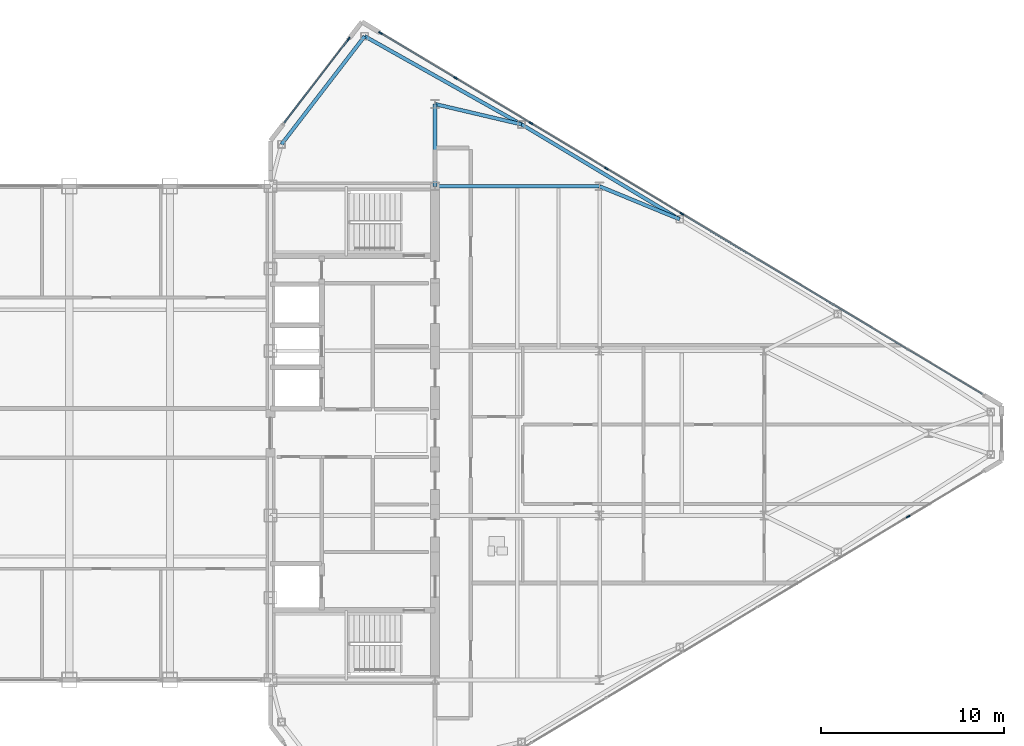
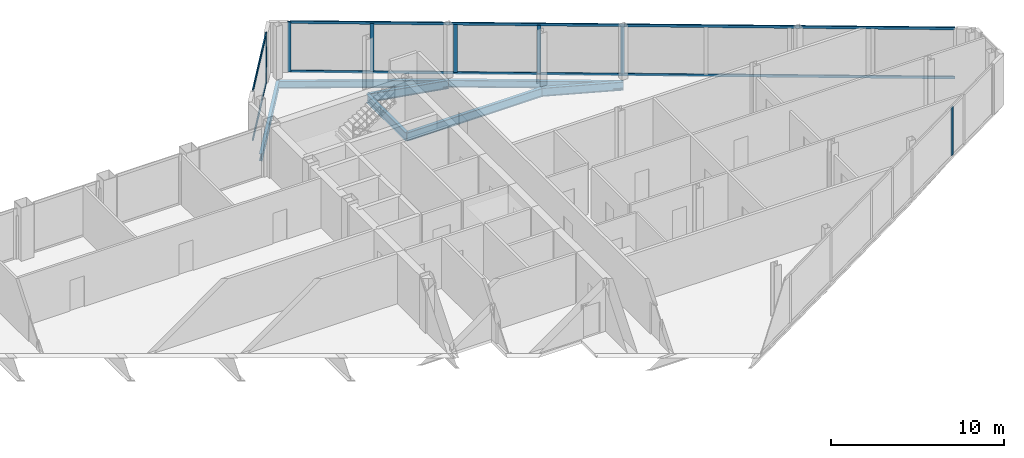
# One storey, part 17 of 29: 11 members, 7 beams, 3 elements without a shape of their own.
"""IFC4 building model written with IfcOpenShell, lengths in metres."""

from ifc_helpers import new_model, si_unit, direction, frame, origin, origin_2d, place, context, subcontext, project, spatial, rectangle, i_section, extrude, source, transform, mapped, material, layer, layer_set, material_profile, profile_set, type_object, type_shapes, element, aggregate, save


model = new_model("IFC4")

# Units and contexts
model_context = context("Model", 3, precision=1e-05, world=origin(), true_north=direction((0.0, 1.0)))
body_context = subcontext(model_context, "Body", "Model", "MODEL_VIEW")
ifc_project = project(units=[si_unit("LENGTHUNIT", "METRE"), si_unit("AREAUNIT", "SQUARE_METRE"), si_unit("VOLUMEUNIT", "CUBIC_METRE"), si_unit("PLANEANGLEUNIT", "RADIAN"), si_unit("MASSUNIT", "GRAM", prefix="KILO")], contexts=[model_context])

# Site, building, storey
site_placement = place(None, origin())
site = spatial("IfcSite", under=ifc_project, at=site_placement, CompositionType="ELEMENT")
building_placement = place(site_placement, origin())
building = spatial("IfcBuilding", under=site, at=building_placement, Name="Seokmaru Belvedere", CompositionType="ELEMENT")
storey_placement = place(building_placement, frame((0.0, 0.0, 254.39990234375)))
storey = spatial("IfcBuildingStorey", under=building, at=storey_placement, Name="L67", CompositionType="ELEMENT", Elevation=254.39990234375)

# Beams
ifc_material_1 = material(Name="Steel SM355 (355 MPa)", Category="steel")
ifc_material_profile_1 = material_profile(ifc_material_1, i_section(OverallWidth=0.199951171875, OverallDepth=0.60009765625, WebThickness=0.010986328125, FlangeThickness=0.01708984375, at=origin_2d()), Name="H-600x200x11x17")
ifc_profile_set_1 = profile_set([ifc_material_profile_1], Name="Steel SM355 (355 MPa)")
beam_type_1 = type_object("IfcBeamType", Name="Primary Floor Girder H-600", PredefinedType="BEAM", material=ifc_profile_set_1)
shared_shape_1 = source(origin(), body_context, "Body", "SweptSolid", [
    extrude(i_section(OverallWidth=0.199951171875, OverallDepth=0.60009765625, WebThickness=0.010986328125, FlangeThickness=0.01708984375, at=origin_2d()), origin(), (0.0, 0.0, 1.0), 9.0),
])
beam_1_placement = place(storey_placement, frame((36.5, 13.5, -0.52001953125), z_axis=(1.0, 0.0, 0.0), x_axis=(0.0, 1.0, 0.0)))
element("IfcBeam", 1, at=beam_1_placement, inside=storey, type_object=beam_type_1, Name="L67 E Wing Primary Girder 4", PredefinedType="BEAM", context=body_context, shape_type="MappedRepresentation", body=[
    mapped(shared_shape_1, transform((0.0, 0.0, 0.0), scale=1.0)),
])
shared_shape_2 = source(origin(), body_context, "Body", "SweptSolid", [
    extrude(i_section(OverallWidth=0.199951171875, OverallDepth=0.60009765625, WebThickness=0.010986328125, FlangeThickness=0.01708984375, at=origin_2d()), origin(), (0.0, 0.0, 1.0), 4.5),
])
beam_2_placement = place(storey_placement, frame((36.5, 13.5, -0.52001953125), z_axis=(0.0, 1.0, 0.0), x_axis=(-1.0, 0.0, 0.0)))
element("IfcBeam", 2, at=beam_2_placement, inside=storey, type_object=beam_type_1, Name="L67 E Core Shoulder Girder N", PredefinedType="BEAM", context=body_context, shape_type="MappedRepresentation", body=[
    mapped(shared_shape_2, transform((0.0, 0.0, 0.0), scale=1.0)),
])
ifc_material_profile_2 = material_profile(ifc_material_1, i_section(OverallWidth=0.199951171875, OverallDepth=0.5, WebThickness=0.010009765625, FlangeThickness=0.01611328125, at=origin_2d()), Name="H-500x200x10x16")
ifc_profile_set_2 = profile_set([ifc_material_profile_2], Name="Steel SM355 (355 MPa)")
beam_type_2 = type_object("IfcBeamType", Name="Perimeter Spandrel Beam H-500", PredefinedType="SPANDREL", material=ifc_profile_set_2)
shared_shape_3 = source(origin(), body_context, "Body", "SweptSolid", [
    extrude(i_section(OverallWidth=0.199951171875, OverallDepth=0.5, WebThickness=0.010009765625, FlangeThickness=0.01611328125, at=origin_2d()), origin(), (0.0, 0.0, 1.0), 9.842041015625),
])
beam_3_placement = place(storey_placement, frame((32.649658203125, 21.71044921875, -0.469970703125), z_axis=(0.871782151818, -0.489893743349, 0.0), x_axis=(0.489893743349, 0.871782151818, 0.0)))
element("IfcBeam", 3, at=beam_3_placement, inside=storey, type_object=beam_type_2, Name="L67 E Faceted Flank Spandrel N-1", PredefinedType="SPANDREL", context=body_context, shape_type="MappedRepresentation", body=[
    mapped(shared_shape_3, transform((0.0, 0.0, 0.0), scale=1.0)),
])
shared_shape_4 = source(origin(), body_context, "Body", "SweptSolid", [
    extrude(i_section(OverallWidth=0.199951171875, OverallDepth=0.5, WebThickness=0.010009765625, FlangeThickness=0.01611328125, at=origin_2d()), origin(), (0.0, 0.0, 1.0), 10.087646484375),
])
beam_4_placement = place(storey_placement, frame((41.229736328125, 16.888916015625, -0.469970703125), z_axis=(0.857499332045, -0.514485078056, 0.0), x_axis=(0.514485078056, 0.857499332045, 0.0)))
element("IfcBeam", 4, at=beam_4_placement, inside=storey, type_object=beam_type_2, Name="L67 E Faceted Flank Spandrel N-2", PredefinedType="SPANDREL", context=body_context, shape_type="MappedRepresentation", body=[
    mapped(shared_shape_4, transform((0.0, 0.0, 0.0), scale=1.0)),
])
shared_shape_5 = source(origin(), body_context, "Body", "SweptSolid", [
    extrude(i_section(OverallWidth=0.199951171875, OverallDepth=0.5, WebThickness=0.010009765625, FlangeThickness=0.01611328125, at=origin_2d()), origin(), (0.0, 0.0, 1.0), 7.4619140625),
])
type_shapes(beam_type_2, [shared_shape_3, shared_shape_4, shared_shape_5])
beam_5_placement = place(storey_placement, frame((32.649658203125, 21.71044921875, -0.469970703125), z_axis=(-0.609702854945, -0.792630070507, 0.0), x_axis=(0.792630070507, -0.609702854945, 0.0)))
element("IfcBeam", 5, at=beam_5_placement, inside=storey, type_object=beam_type_2, Name="L67 E Shoulder Chamfer Spandrel N", PredefinedType="SPANDREL", context=body_context, shape_type="MappedRepresentation", body=[
    mapped(shared_shape_5, transform((0.0, 0.0, 0.0), scale=1.0)),
])
shared_shape_6 = source(origin(), body_context, "Body", "SweptSolid", [
    extrude(i_section(OverallWidth=0.199951171875, OverallDepth=0.60009765625, WebThickness=0.010986328125, FlangeThickness=0.01708984375, at=origin_2d()), origin(), (0.0, 0.0, 1.0), 4.8583984375),
])
beam_6_placement = place(storey_placement, frame((41.229736328125, 16.888916015625, -0.52001953125), z_axis=(-0.97349948295, 0.228689214211, 0.0), x_axis=(-0.228689214211, -0.97349948295, 0.0)))
element("IfcBeam", 6, at=beam_6_placement, inside=storey, type_object=beam_type_1, Name="L67 E Flank Radial Floor Girder N-1", PredefinedType="BEAM", context=body_context, shape_type="MappedRepresentation", body=[
    mapped(shared_shape_6, transform((0.0, 0.0, 0.0), scale=1.0)),
])
shared_shape_7 = source(origin(), body_context, "Body", "SweptSolid", [
    extrude(i_section(OverallWidth=0.199951171875, OverallDepth=0.60009765625, WebThickness=0.010986328125, FlangeThickness=0.01708984375, at=origin_2d()), origin(), (0.0, 0.0, 1.0), 4.73583984375),
])
type_shapes(beam_type_1, [shared_shape_1, shared_shape_2, shared_shape_6, shared_shape_7])
beam_7_placement = place(storey_placement, frame((49.8798828125, 11.698974609375, -0.52001953125), z_axis=(-0.924860562953, 0.380306375301, 0.0), x_axis=(-0.380306375301, -0.924860562953, 0.0)))
element("IfcBeam", 7, at=beam_7_placement, inside=storey, type_object=beam_type_1, Name="L67 E Flank Radial Floor Girder N-2", PredefinedType="BEAM", context=body_context, shape_type="MappedRepresentation", body=[
    mapped(shared_shape_7, transform((0.0, 0.0, 0.0), scale=1.0)),
])

# Curtain wall, members
ifc_material_2 = material(Name="Bronze Triple Insulating Glass", Category="glass")
ifc_layer = layer(ifc_material_2, 0.219970703125)
ifc_layer_set = layer_set([ifc_layer], Name="Bronze Triple Insulating Glass")
curtain_wall_type = type_object("IfcCurtainWallType", Name="Sky-Gate Bridge Panorama Curtain Wall System CW-6", PredefinedType="NOTDEFINED", material=ifc_layer_set)
curtain_wall_1_placement = place(storey_placement, origin())
curtain_wall_1 = element("IfcCurtainWall", 8, at=curtain_wall_1_placement, inside=storey, type_object=curtain_wall_type, Name="L67 Curtain Wall EF4", PredefinedType="NOTDEFINED")
ifc_material_3 = material(Name="Anodised Bronze Aluminium", Category="aluminium")
ifc_material_profile_3 = material_profile(ifc_material_3, rectangle(XDim=0.074951171875, YDim=0.179931640625, at=origin_2d()), Name="CW-T-75x180")
ifc_profile_set_3 = profile_set([ifc_material_profile_3], Name="Anodised Bronze Aluminium")
member_type_1 = type_object("IfcMemberType", Name="Bronze Unitised Transom 75x180", PredefinedType="USERDEFINED", material=ifc_profile_set_3)
shared_shape_8 = source(origin(), body_context, "Body", "SweptSolid", [
    extrude(rectangle(XDim=0.074951171875, YDim=0.179931640625, at=origin_2d()), origin(), (0.0, 0.0, 1.0), 5.74072265625),
])
member_1_placement = place(storey_placement, frame((31.75, 21.525146484375, 0.03759765625), z_axis=(-0.609686097287, -0.792642960465, 0.0), x_axis=(0.792642960465, -0.609686097287, 0.0)))
member_1 = element("IfcMember", 9, at=member_1_placement, type_object=member_type_1, Name="CW:L67:EF4 Continuous Transom 1", ObjectType="TRANSOM", PredefinedType="USERDEFINED", context=body_context, shape_type="MappedRepresentation", body=[
    mapped(shared_shape_8, transform((0.0, 0.0, 0.0), scale=1.0)),
])
member_2_placement = place(storey_placement, frame((31.75, 21.525146484375, 3.49267578125), z_axis=(-0.609686097287, -0.792642960465, 0.0), x_axis=(0.792642960465, -0.609686097287, 0.0)))
member_2 = element("IfcMember", 10, at=member_2_placement, type_object=member_type_1, Name="CW:L67:EF4 Continuous Transom 2", ObjectType="TRANSOM", PredefinedType="USERDEFINED", context=body_context, shape_type="MappedRepresentation", body=[
    mapped(shared_shape_8, transform((0.0, 0.0, 0.0), scale=1.0)),
])

curtain_wall_2_placement = place(storey_placement, origin())
curtain_wall_2 = element("IfcCurtainWall", 11, at=curtain_wall_2_placement, inside=storey, type_object=curtain_wall_type, Name="L67 Curtain Wall EF3", PredefinedType="NOTDEFINED")
shared_shape_9 = source(origin(), body_context, "Body", "SweptSolid", [
    extrude(rectangle(XDim=0.074951171875, YDim=0.179931640625, at=origin_2d()), origin(), (0.0, 0.0, 1.0), 38.356689453125),
])
type_shapes(member_type_1, [shared_shape_8, shared_shape_9])
member_3_placement = place(storey_placement, frame((66.4453125, 2.1328125, 0.03759765625), z_axis=(-0.857492925713, 0.514495755428, 0.0), x_axis=(-0.514495755428, -0.857492925713, 0.0)))
member_3 = element("IfcMember", 12, at=member_3_placement, type_object=member_type_1, Name="CW:L67:EF3 Continuous Transom 1", ObjectType="TRANSOM", PredefinedType="USERDEFINED", context=body_context, shape_type="MappedRepresentation", body=[
    mapped(shared_shape_9, transform((0.0, 0.0, 0.0), scale=1.0)),
])
member_4_placement = place(storey_placement, frame((66.4453125, 2.1328125, 3.49267578125), z_axis=(-0.857492925713, 0.514495755428, 0.0), x_axis=(-0.514495755428, -0.857492925713, 0.0)))
member_4 = element("IfcMember", 13, at=member_4_placement, type_object=member_type_1, Name="CW:L67:EF3 Continuous Transom 2", ObjectType="TRANSOM", PredefinedType="USERDEFINED", context=body_context, shape_type="MappedRepresentation", body=[
    mapped(shared_shape_9, transform((0.0, 0.0, 0.0), scale=1.0)),
])
ifc_material_profile_4 = material_profile(ifc_material_3, rectangle(XDim=0.080078125, YDim=0.219970703125, at=origin_2d()), Name="CW-M-80x220")
ifc_profile_set_4 = profile_set([ifc_material_profile_4], Name="Anodised Bronze Aluminium")
member_type_2 = type_object("IfcMemberType", Name="Bronze Unitised Mullion 80x220", PredefinedType="MULLION", material=ifc_profile_set_4)
shared_shape_10 = source(origin(), body_context, "Body", "SweptSolid", [
    extrude(rectangle(XDim=0.080078125, YDim=0.219970703125, at=origin_2d()), origin(), (0.0, 0.0, 1.0), 3.530029296875),
])
member_5_placement = place(storey_placement, frame((33.5205078125, 21.8876953125, 0.0), z_axis=(0.0, 0.0, 1.0), x_axis=(-0.514494909364, -0.85749343335, 0.0)))
member_5 = element("IfcMember", 14, at=member_5_placement, type_object=member_type_2, Name="CW:L67:EF3 Mullion 9", PredefinedType="MULLION", context=body_context, shape_type="MappedRepresentation", body=[
    mapped(shared_shape_10, transform((0.0, 0.0, 0.0), scale=1.0)),
])

# Member
member_6_placement = place(storey_placement, frame((31.7744140625, 21.556884765625, 0.0), z_axis=(0.0, 0.0, 1.0), x_axis=(0.792631353244, -0.609701187349, 0.0)))
member_6 = element("IfcMember", 15, at=member_6_placement, type_object=member_type_2, Name="CW:L67:EF4 Mullion 1", PredefinedType="MULLION", context=body_context, shape_type="MappedRepresentation", body=[
    mapped(shared_shape_10, transform((0.0, 0.0, 0.0), scale=1.0)),
])

aggregate(curtain_wall_1, [member_6, member_1, member_2])

# Curtain wall, member
curtain_wall_3_placement = place(storey_placement, origin())
curtain_wall_3 = element("IfcCurtainWall", 16, at=curtain_wall_3_placement, inside=storey, type_object=curtain_wall_type, Name="L67 Curtain Wall EF1", PredefinedType="NOTDEFINED")
shared_shape_11 = source(origin(), body_context, "Body", "SweptSolid", [
    extrude(rectangle(XDim=0.080078125, YDim=0.219970703125, at=origin_2d()), origin(), (0.0, 0.0, 1.0), 3.3798828125),
])
type_shapes(member_type_2, [shared_shape_10, shared_shape_11])
member_7_placement = place(storey_placement, frame((62.385498046875, -4.56884765625, 0.0751953125), z_axis=(0.0, 0.0, 1.0), x_axis=(-0.514494909364, 0.85749343335, 0.0)))
member_7 = element("IfcMember", 17, at=member_7_placement, type_object=member_type_2, Name="CW:L67:EF1 Mullion 8", PredefinedType="MULLION", context=body_context, shape_type="MappedRepresentation", body=[
    mapped(shared_shape_11, transform((0.0, 0.0, 0.0), scale=1.0)),
])
aggregate(curtain_wall_3, [member_7])

# Member
member_8_placement = place(storey_placement, frame((50.0, 12.0, 0.0751953125), z_axis=(0.0, 0.0, 1.0), x_axis=(-0.514494909364, -0.85749343335, 0.0)))
member_8 = element("IfcMember", 18, at=member_8_placement, type_object=member_type_2, Name="CW:L67:EF3 Mullion 5", PredefinedType="MULLION", context=body_context, shape_type="MappedRepresentation", body=[
    mapped(shared_shape_11, transform((0.0, 0.0, 0.0), scale=1.0)),
])

member_9_placement = place(storey_placement, frame((45.87158203125, 14.47705078125, 0.0751953125), z_axis=(0.0, 0.0, 1.0), x_axis=(-0.514494909364, -0.85749343335, 0.0)))
member_9 = element("IfcMember", 19, at=member_9_placement, type_object=member_type_2, Name="CW:L67:EF3 Mullion 6", PredefinedType="MULLION", context=body_context, shape_type="MappedRepresentation", body=[
    mapped(shared_shape_11, transform((0.0, 0.0, 0.0), scale=1.0)),
])

member_10_placement = place(storey_placement, frame((41.742919921875, 16.9541015625, 0.0751953125), z_axis=(0.0, 0.0, 1.0), x_axis=(-0.514494909364, -0.85749343335, 0.0)))
member_10 = element("IfcMember", 20, at=member_10_placement, type_object=member_type_2, Name="CW:L67:EF3 Mullion 7", PredefinedType="MULLION", context=body_context, shape_type="MappedRepresentation", body=[
    mapped(shared_shape_11, transform((0.0, 0.0, 0.0), scale=1.0)),
])

member_11_placement = place(storey_placement, frame((37.614501953125, 19.43115234375, 0.0751953125), z_axis=(0.0, 0.0, 1.0), x_axis=(-0.514494909364, -0.85749343335, 0.0)))
member_11 = element("IfcMember", 21, at=member_11_placement, type_object=member_type_2, Name="CW:L67:EF3 Mullion 8", PredefinedType="MULLION", context=body_context, shape_type="MappedRepresentation", body=[
    mapped(shared_shape_11, transform((0.0, 0.0, 0.0), scale=1.0)),
])

aggregate(curtain_wall_2, [member_8, member_9, member_10, member_11, member_5, member_3, member_4])

save(model, "model.ifc")
